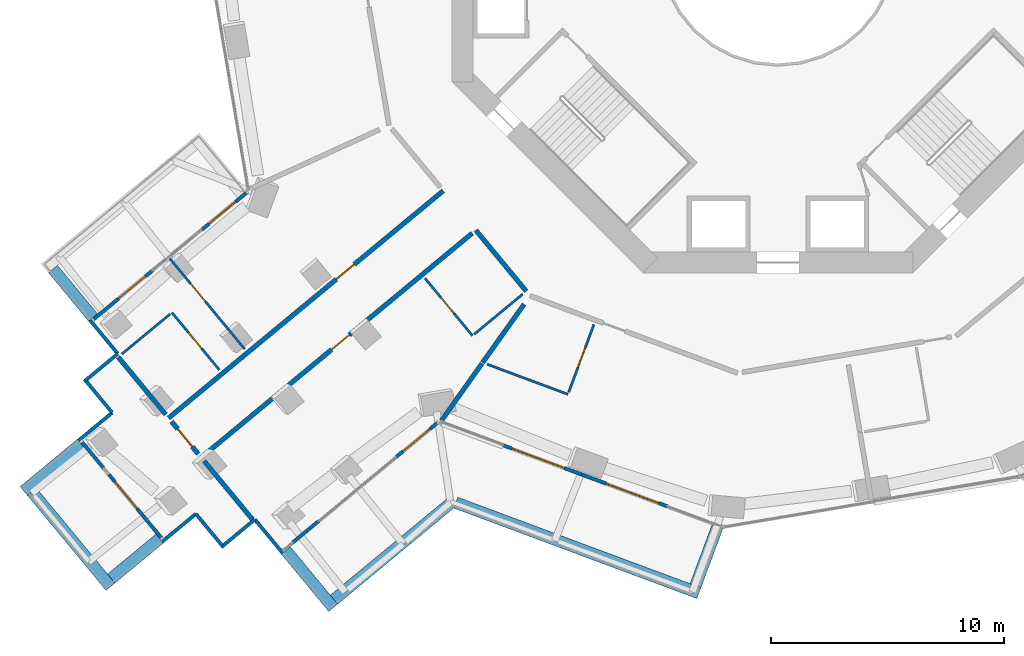
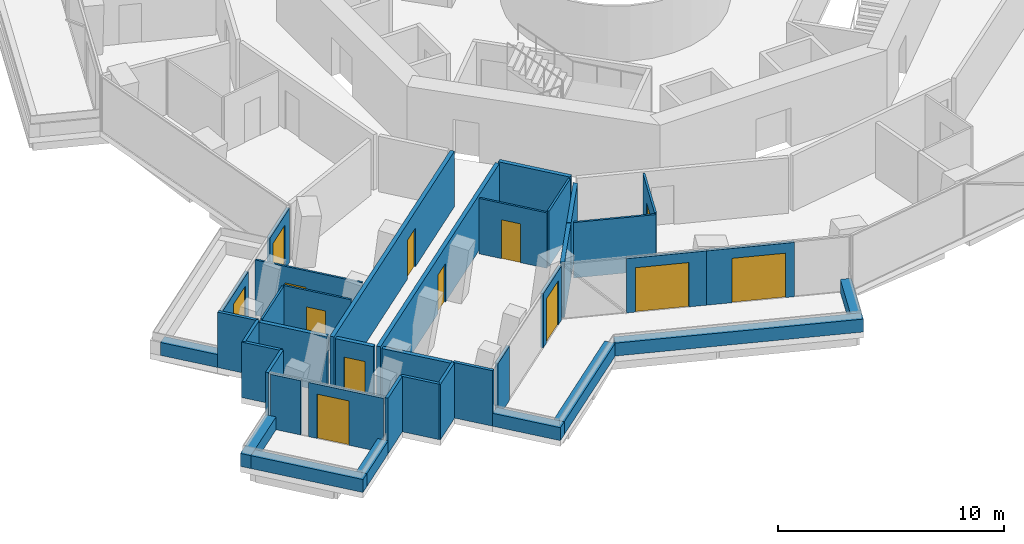
# One storey, part 19 of 27: 39 walls, 13 doors, 13 openings.
"""IFC4 building model written with IfcOpenShell, lengths in metres."""

from ifc_helpers import new_model, si_unit, direction, frame, frame_2d, origin, place, context, subcontext, project, spatial, rectangle, extrude, material, layer, layer_set, type_object, element, fill, save


model = new_model("IFC4")

# Units and contexts
model_context = context("Model", 3, precision=1e-05, world=origin(), true_north=direction((0.0, 1.0)))
body_context = subcontext(model_context, "Body", "Model", "MODEL_VIEW")
ifc_project = project(units=[si_unit("LENGTHUNIT", "METRE"), si_unit("AREAUNIT", "SQUARE_METRE"), si_unit("VOLUMEUNIT", "CUBIC_METRE"), si_unit("PLANEANGLEUNIT", "RADIAN"), si_unit("MASSUNIT", "GRAM", prefix="KILO")], contexts=[model_context])

# Site, building, storey
site_placement = place(None, origin())
site = spatial("IfcSite", under=ifc_project, at=site_placement, CompositionType="ELEMENT")
building_placement = place(site_placement, origin())
building = spatial("IfcBuilding", under=site, at=building_placement, Name="Verdalira Terraces Hotel", CompositionType="ELEMENT")
storey_placement = place(building_placement, frame((0.0, 0.0, 71.5)))
storey = spatial("IfcBuildingStorey", under=building, at=storey_placement, Name="L16", CompositionType="ELEMENT", Elevation=71.5)

# Walls
ifc_material_1 = material(Name="Concrete C40", Category="concrete")
ifc_layer_1 = layer(ifc_material_1, 0.5)
ifc_layer_set_1 = layer_set([ifc_layer_1], Name="Balcony planter trough with tree")
wall_type_1 = type_object("IfcWallType", Name="Balcony planter trough with tree", PredefinedType="SOLIDWALL", material=ifc_layer_set_1)
wall_1_placement = place(storey_placement, frame((-31.158691, -13.83667, 0.0), z_axis=(0.0, 0.0, 1.0), x_axis=(0.637386264, -0.770544451, 0.0)))
element("IfcWall", 1, at=wall_1_placement, inside=storey, type_object=wall_type_1, Name="Balcony planter", PredefinedType="SOLIDWALL", context=body_context, shape_type="SweptSolid", body=[
    extrude(rectangle(XDim=2.698975, YDim=0.5, at=frame_2d((1.349609, 0.0))), origin(), (0.0, 0.0, 1.0), 0.699951),
])
wall_2_placement = place(storey_placement, frame((-29.950928, -21.338379, 0.0), z_axis=(0.0, 0.0, 1.0), x_axis=(-0.770518399, -0.637417757, 0.0)))
element("IfcWall", 2, at=wall_2_placement, inside=storey, type_object=wall_type_1, Name="Balcony planter", PredefinedType="SOLIDWALL", context=body_context, shape_type="SweptSolid", body=[
    extrude(rectangle(XDim=3.198975, YDim=0.5, at=frame_2d((1.599609, 0.0))), origin(), (0.0, 0.0, 1.0), 0.699951),
])
wall_3_placement = place(storey_placement, frame((-32.063721, -23.410645, 0.0), z_axis=(0.0, 0.0, 1.0), x_axis=(0.637402717, -0.770530841, 0.0)))
element("IfcWall", 3, at=wall_3_placement, inside=storey, type_object=wall_type_1, Name="Balcony planter", PredefinedType="SOLIDWALL", context=body_context, shape_type="SweptSolid", body=[
    extrude(rectangle(XDim=5.299805, YDim=0.5, at=frame_2d((2.649902, 0.0))), origin(), (0.0, 0.0, 1.0), 0.699951),
])
wall_4_placement = place(storey_placement, frame((-28.6521, -27.142334, 0.0), z_axis=(0.0, 0.0, 1.0), x_axis=(0.770544451, 0.637386264, 0.0)))
element("IfcWall", 4, at=wall_4_placement, inside=storey, type_object=wall_type_1, Name="Balcony planter", PredefinedType="SOLIDWALL", context=body_context, shape_type="SweptSolid", body=[
    extrude(rectangle(XDim=2.698975, YDim=0.5, at=frame_2d((1.349609, 0.0))), origin(), (0.0, 0.0, 1.0), 0.699951),
])
wall_5_placement = place(storey_placement, frame((-21.150635, -25.93457, 0.0), z_axis=(0.0, 0.0, 1.0), x_axis=(0.637417757, -0.770518399, 0.0)))
element("IfcWall", 5, at=wall_5_placement, inside=storey, type_object=wall_type_1, Name="Balcony planter", PredefinedType="SOLIDWALL", context=body_context, shape_type="SweptSolid", body=[
    extrude(rectangle(XDim=3.198975, YDim=0.5, at=frame_2d((1.599609, 0.0))), origin(), (0.0, 0.0, 1.0), 0.699951),
])
wall_6_placement = place(storey_placement, frame((-19.078125, -28.047363, 0.0), z_axis=(0.0, 0.0, 1.0), x_axis=(0.770510589, 0.637427197, 0.0)))
element("IfcWall", 6, at=wall_6_placement, inside=storey, type_object=wall_type_1, Name="Balcony planter", PredefinedType="SOLIDWALL", context=body_context, shape_type="SweptSolid", body=[
    extrude(rectangle(XDim=6.472168, YDim=0.5, at=frame_2d((3.236084, 0.0))), origin(), (0.0, 0.0, 1.0), 0.699951),
])
wall_7_placement = place(storey_placement, frame((-13.844727, -23.880127, 0.0), z_axis=(0.0, 0.0, 1.0), x_axis=(0.937280243, -0.348576744, 0.0)))
element("IfcWall", 7, at=wall_7_placement, inside=storey, type_object=wall_type_1, Name="Balcony planter", PredefinedType="SOLIDWALL", context=body_context, shape_type="SweptSolid", body=[
    extrude(rectangle(XDim=11.152344, YDim=0.5, at=frame_2d((5.576172, 0.0))), origin(), (0.0, 0.0, 1.0), 0.699951),
])
wall_8_placement = place(storey_placement, frame((-3.538818, -27.446045, 0.0), z_axis=(0.0, 0.0, 1.0), x_axis=(0.348554455, 0.937288532, 0.0)))
element("IfcWall", 8, at=wall_8_placement, inside=storey, type_object=wall_type_1, Name="Balcony planter", PredefinedType="SOLIDWALL", context=body_context, shape_type="SweptSolid", body=[
    extrude(rectangle(XDim=2.69873, YDim=0.5, at=frame_2d((1.349365, 0.0))), origin(), (0.0, 0.0, 1.0), 0.699951),
])
ifc_material_2 = material(Name="Moisture-resistant gypsum board partition")
ifc_layer_2 = layer(ifc_material_2, 0.10009765625)
ifc_layer_set_2 = layer_set([ifc_layer_2], Name="Bathroom partition 100 mm")
wall_type_2 = type_object("IfcWallType", Name="Bathroom partition 100 mm", PredefinedType="PARTITIONING", material=ifc_layer_set_2)
wall_9_placement = place(storey_placement, frame((-26.121094, -15.768799, 0.0), z_axis=(0.0, 0.0, 1.0), x_axis=(-0.770477014, -0.63746778, 0.0)))
element("IfcWall", 9, at=wall_9_placement, inside=storey, type_object=wall_type_2, Name="Bathroom partition", PredefinedType="PARTITIONING", context=body_context, shape_type="SweptSolid", body=[
    extrude(rectangle(XDim=2.699951, YDim=0.100098, at=frame_2d((1.350098, 0.0))), origin(), (0.0, 0.0, 1.0), 3.0),
])

# Wall, opening, door
wall_10_placement = place(storey_placement, frame((-24.00415, -18.170898, 0.0), z_axis=(0.0, 0.0, 1.0), x_axis=(-0.637403759, 0.770529978, 0.0)))
wall_10 = element("IfcWall", 10, at=wall_10_placement, inside=storey, type_object=wall_type_2, Name="Bathroom partition", PredefinedType="PARTITIONING", context=body_context, shape_type="SweptSolid", body=[
    extrude(rectangle(XDim=3.200195, YDim=0.100098, at=frame_2d((1.600098, 0.0))), origin(), (0.0, 0.0, 1.0), 3.0),
])
opening_1_placement = place(wall_10_placement, frame((1.199951, 0.0, 0.0)))
opening_1 = element("IfcOpeningElement", 11, at=opening_1_placement, cuts=wall_10, Name="Opening L16-116", PredefinedType="OPENING", context=body_context, shape_type="SweptSolid", body=[
    extrude(rectangle(XDim=0.899902, YDim=2.100098, at=frame_2d((0.449951, 1.050049))), frame((0.0, 0.060059, 0.0), z_axis=(0.0, -1.0, 0.0), x_axis=(1.0, 0.0, 0.0)), (0.0, 0.0, 1.0), 0.120117),
])
ifc_material_3 = material(Name="Timber door", Category="wood")
door_type_1 = type_object("IfcDoorType", Name="Bathroom door 900 x 2100", OperationType="NOTDEFINED", PredefinedType="DOOR", material=ifc_material_3)
door_1_placement = place(opening_1_placement, origin())
door_1 = element("IfcDoor", 12, at=door_1_placement, inside=storey, type_object=door_type_1, Name="Bathroom door 1606", OperationType="SINGLE_SWING_RIGHT", OverallHeight=2.10009765625, OverallWidth=0.89990234375, PredefinedType="DOOR", context=body_context, shape_type="SweptSolid", body=[
    extrude(rectangle(XDim=0.899902, YDim=2.100098, at=frame_2d((0.449951, 1.050049))), frame((0.0, 0.024902, 0.0), z_axis=(0.0, -1.0, 0.0), x_axis=(1.0, 0.0, 0.0)), (0.0, 0.0, 1.0), 0.050049),
])
fill(opening_1, door_1)

wall_11_placement = place(storey_placement, frame((-22.917969, -17.272217, 0.0), z_axis=(0.0, 0.0, 1.0), x_axis=(-0.63742226, 0.770514674, 0.0)))
wall_11 = element("IfcWall", 13, at=wall_11_placement, inside=storey, type_object=wall_type_2, Name="Bathroom partition", PredefinedType="PARTITIONING", context=body_context, shape_type="SweptSolid", body=[
    extrude(rectangle(XDim=5.050049, YDim=0.100098, at=frame_2d((2.524902, 0.0))), origin(), (0.0, 0.0, 1.0), 3.0),
])
opening_2_placement = place(wall_11_placement, frame((2.649902, 0.0, 0.0)))
opening_2 = element("IfcOpeningElement", 14, at=opening_2_placement, cuts=wall_11, Name="Opening L16-115", PredefinedType="OPENING", context=body_context, shape_type="SweptSolid", body=[
    extrude(rectangle(XDim=1.0, YDim=2.100098, at=frame_2d((0.5, 1.050049))), frame((0.0, 0.060059, 0.0), z_axis=(0.0, -1.0, 0.0), x_axis=(1.0, 0.0, 0.0)), (0.0, 0.0, 1.0), 0.120117),
])
ifc_material_4 = material(Name="Timber door", Category="wood")
door_type_2 = type_object("IfcDoorType", Name="Suite internal door 1000 x 2100", OperationType="NOTDEFINED", PredefinedType="DOOR", material=ifc_material_4)
door_2_placement = place(opening_2_placement, origin())
door_2 = element("IfcDoor", 15, at=door_2_placement, inside=storey, type_object=door_type_2, Name="Suite internal door 1606", OperationType="SINGLE_SWING_LEFT", OverallHeight=2.10009765625, OverallWidth=1.0, PredefinedType="DOOR", context=body_context, shape_type="SweptSolid", body=[
    extrude(rectangle(XDim=1.0, YDim=2.100098, at=frame_2d((0.5, 1.050049))), frame((0.0, 0.024902, 0.0), z_axis=(0.0, -1.0, 0.0), x_axis=(1.0, 0.0, 0.0)), (0.0, 0.0, 1.0), 0.050049),
])
fill(opening_2, door_2)

wall_12_placement = place(storey_placement, frame((-15.166016, -14.233398, 0.0), z_axis=(0.0, 0.0, 1.0), x_axis=(0.637403759, -0.770529978, 0.0)))
wall_12 = element("IfcWall", 16, at=wall_12_placement, inside=storey, type_object=wall_type_2, Name="Bathroom partition", PredefinedType="PARTITIONING", context=body_context, shape_type="SweptSolid", body=[
    extrude(rectangle(XDim=3.200195, YDim=0.100098, at=frame_2d((1.600098, 0.0))), origin(), (0.0, 0.0, 1.0), 3.0),
])
opening_3_placement = place(wall_12_placement, frame((1.050049, 0.0, 0.0)))
opening_3 = element("IfcOpeningElement", 17, at=opening_3_placement, cuts=wall_12, Name="Opening L16-119", PredefinedType="OPENING", context=body_context, shape_type="SweptSolid", body=[
    extrude(rectangle(XDim=0.899902, YDim=2.100098, at=frame_2d((0.449951, 1.050049))), frame((0.0, 0.060059, 0.0), z_axis=(0.0, -1.0, 0.0), x_axis=(1.0, 0.0, 0.0)), (0.0, 0.0, 1.0), 0.120117),
])
door_3_placement = place(opening_3_placement, origin())
door_3 = element("IfcDoor", 18, at=door_3_placement, inside=storey, type_object=door_type_1, Name="Bathroom door 1608", OperationType="SINGLE_SWING_RIGHT", OverallHeight=2.10009765625, OverallWidth=0.89990234375, PredefinedType="DOOR", context=body_context, shape_type="SweptSolid", body=[
    extrude(rectangle(XDim=0.899902, YDim=2.100098, at=frame_2d((0.449951, 1.050049))), frame((0.0, 0.024902, 0.0), z_axis=(0.0, -1.0, 0.0), x_axis=(1.0, 0.0, 0.0)), (0.0, 0.0, 1.0), 0.050049),
])
fill(opening_3, door_3)

# Walls
wall_13_placement = place(storey_placement, frame((-10.96875, -14.914307, 0.0), z_axis=(0.0, 0.0, 1.0), x_axis=(-0.770477014, -0.63746778, 0.0)))
element("IfcWall", 19, at=wall_13_placement, inside=storey, type_object=wall_type_2, Name="Bathroom partition", PredefinedType="PARTITIONING", context=body_context, shape_type="SweptSolid", body=[
    extrude(rectangle(XDim=2.699951, YDim=0.100098, at=frame_2d((1.350098, 0.0))), origin(), (0.0, 0.0, 1.0), 3.0),
])
wall_14_placement = place(storey_placement, frame((-9.023193, -19.218506, 0.0), z_axis=(0.0, 0.0, 1.0), x_axis=(-0.937268435, 0.348608492, 0.0)))
element("IfcWall", 20, at=wall_14_placement, inside=storey, type_object=wall_type_2, Name="Bathroom partition", PredefinedType="PARTITIONING", context=body_context, shape_type="SweptSolid", body=[
    extrude(rectangle(XDim=3.704102, YDim=0.100098, at=frame_2d((1.852051, 0.0))), origin(), (0.0, 0.0, 1.0), 3.0),
])

# Wall, opening, door
wall_15_placement = place(storey_placement, frame((-8.988281, -19.124756, 0.0), z_axis=(0.0, 0.0, 1.0), x_axis=(0.348550316, 0.937290071, 0.0)))
wall_15 = element("IfcWall", 21, at=wall_15_placement, inside=storey, type_object=wall_type_2, Name="Bathroom partition", PredefinedType="PARTITIONING", context=body_context, shape_type="SweptSolid", body=[
    extrude(rectangle(XDim=3.100098, YDim=0.100098, at=frame_2d((1.550049, 0.0))), origin(), (0.0, 0.0, 1.0), 3.0),
])
opening_4_placement = place(wall_15_placement, frame((1.149902, 0.0, 0.0)))
opening_4 = element("IfcOpeningElement", 22, at=opening_4_placement, cuts=wall_15, Name="Opening L16-121", PredefinedType="OPENING", context=body_context, shape_type="SweptSolid", body=[
    extrude(rectangle(XDim=0.899902, YDim=2.100098, at=frame_2d((0.449951, 1.050049))), frame((0.0, 0.060059, 0.0), z_axis=(0.0, -1.0, 0.0), x_axis=(1.0, 0.0, 0.0)), (0.0, 0.0, 1.0), 0.120117),
])
door_4_placement = place(opening_4_placement, origin())
door_4 = element("IfcDoor", 23, at=door_4_placement, inside=storey, type_object=door_type_1, Name="Bathroom door 1609", OperationType="SINGLE_SWING_LEFT", OverallHeight=2.10009765625, OverallWidth=0.89990234375, PredefinedType="DOOR", context=body_context, shape_type="SweptSolid", body=[
    extrude(rectangle(XDim=0.899902, YDim=2.100098, at=frame_2d((0.449951, 1.050049))), frame((0.0, 0.024902, 0.0), z_axis=(0.0, -1.0, 0.0), x_axis=(1.0, 0.0, 0.0)), (0.0, 0.0, 1.0), 0.050049),
])
fill(opening_4, door_4)

# Walls
ifc_material_5 = material(Name="Fire-rated gypsum board wall")
ifc_layer_3 = layer(ifc_material_5, 0.199951171875)
ifc_layer_set_3 = layer_set([ifc_layer_3], Name="Demising wall 200 mm")
wall_type_3 = type_object("IfcWallType", Name="Demising wall 200 mm", PredefinedType="SOLIDWALL", material=ifc_layer_set_3)
wall_16_placement = place(storey_placement, frame((-28.356689, -17.615967, 0.0), z_axis=(0.0, 0.0, 1.0), x_axis=(0.637407074, -0.770527236, 0.0)))
element("IfcWall", 24, at=wall_16_placement, inside=storey, type_object=wall_type_3, Name="Demising wall", PredefinedType="SOLIDWALL", context=body_context, shape_type="SweptSolid", body=[
    extrude(rectangle(XDim=3.203857, YDim=0.199951, at=frame_2d((1.602051, 0.0))), origin(), (0.0, 0.0, 1.0), 3.0),
])
wall_17_placement = place(storey_placement, frame((-24.659912, -22.084961, 0.0), z_axis=(0.0, 0.0, 1.0), x_axis=(0.637455546, -0.770487136, 0.0)))
element("IfcWall", 25, at=wall_17_placement, inside=storey, type_object=wall_type_3, Name="Demising wall", PredefinedType="SOLIDWALL", context=body_context, shape_type="SweptSolid", body=[
    extrude(rectangle(XDim=3.251953, YDim=0.199951, at=frame_2d((1.625977, 0.0))), origin(), (0.0, 0.0, 1.0), 3.0),
])
wall_18_placement = place(storey_placement, frame((-12.716797, -17.894287, 0.0), z_axis=(0.0, 0.0, 1.0), x_axis=(-0.579280855, -0.815128021, 0.0)))
element("IfcWall", 26, at=wall_18_placement, inside=storey, type_object=wall_type_3, Name="Demising wall", PredefinedType="SOLIDWALL", context=body_context, shape_type="SweptSolid", body=[
    extrude(rectangle(XDim=3.01123, YDim=0.199951, at=frame_2d((1.505615, 0.0))), origin(), (0.0, 0.0, 1.0), 3.0),
])
wall_19_placement = place(storey_placement, frame((-10.908936, -15.350586, 0.0), z_axis=(0.0, 0.0, 1.0), x_axis=(-0.579336263, -0.815088642, 0.0)))
element("IfcWall", 27, at=wall_19_placement, inside=storey, type_object=wall_type_3, Name="Demising wall", PredefinedType="SOLIDWALL", context=body_context, shape_type="SweptSolid", body=[
    extrude(rectangle(XDim=3.074707, YDim=0.199951, at=frame_2d((1.537354, 0.0))), origin(), (0.0, 0.0, 1.0), 3.0),
])

# Wall, opening, door
ifc_material_6 = material(Name="Fire-rated gypsum board wall")
ifc_layer_4 = layer(ifc_material_6, 0.199951171875)
ifc_layer_set_4 = layer_set([ifc_layer_4], Name="Guest corridor wall 200 mm")
wall_type_4 = type_object("IfcWallType", Name="Guest corridor wall 200 mm", PredefinedType="SOLIDWALL", material=ifc_layer_set_4)
wall_20_placement = place(storey_placement, frame((-24.912109, -21.779785, 0.0), z_axis=(0.0, 0.0, 1.0), x_axis=(-0.637451374, 0.770490588, 0.0)))
wall_20 = element("IfcWall", 28, at=wall_20_placement, inside=storey, type_object=wall_type_4, Name="Guest corridor wall", PredefinedType="SOLIDWALL", context=body_context, shape_type="SweptSolid", body=[
    extrude(rectangle(XDim=1.803955, YDim=0.199951, at=frame_2d((0.901855, 0.0))), origin(), (0.0, 0.0, 1.0), 3.0),
])
opening_5_placement = place(wall_20_placement, frame((0.399902, 0.0, 0.0)))
opening_5 = element("IfcOpeningElement", 29, at=opening_5_placement, cuts=wall_20, Name="Opening L16-117", PredefinedType="OPENING", context=body_context, shape_type="SweptSolid", body=[
    extrude(rectangle(XDim=1.0, YDim=2.100098, at=frame_2d((0.5, 1.050049))), frame((0.0, 0.109863, 0.0), z_axis=(0.0, -1.0, 0.0), x_axis=(1.0, 0.0, 0.0)), (0.0, 0.0, 1.0), 0.219971),
])
ifc_material_7 = material(Name="Timber door", Category="wood")
door_type_3 = type_object("IfcDoorType", Name="Lounge door 1000 x 2100", OperationType="NOTDEFINED", PredefinedType="DOOR", material=ifc_material_7)
door_5_placement = place(opening_5_placement, origin())
door_5 = element("IfcDoor", 30, at=door_5_placement, inside=storey, type_object=door_type_3, Name="Lounge door 1607", OperationType="SINGLE_SWING_LEFT", OverallHeight=2.10009765625, OverallWidth=1.0, PredefinedType="DOOR", context=body_context, shape_type="SweptSolid", body=[
    extrude(rectangle(XDim=1.0, YDim=2.100098, at=frame_2d((0.5, 1.050049))), frame((0.0, 0.024902, 0.0), z_axis=(0.0, -1.0, 0.0), x_axis=(1.0, 0.0, 0.0)), (0.0, 0.0, 1.0), 0.050049),
])
fill(opening_5, door_5)

wall_21_placement = place(storey_placement, frame((-26.188232, -20.237305, 0.0), z_axis=(0.0, 0.0, 1.0), x_axis=(0.770503626, 0.637435615, 0.0)))
wall_21 = element("IfcWall", 31, at=wall_21_placement, inside=storey, type_object=wall_type_4, Name="Guest corridor wall", PredefinedType="SOLIDWALL", context=body_context, shape_type="SweptSolid", body=[
    extrude(rectangle(XDim=15.319824, YDim=0.199951, at=frame_2d((7.659912, 0.0))), origin(), (0.0, 0.0, 1.0), 3.0),
])
opening_6_placement = place(wall_21_placement, frame((9.359863, 0.0, 0.0)))
opening_6 = element("IfcOpeningElement", 32, at=opening_6_placement, cuts=wall_21, Name="Opening L16-114", PredefinedType="OPENING", context=body_context, shape_type="SweptSolid", body=[
    extrude(rectangle(XDim=1.0, YDim=2.100098, at=frame_2d((0.5, 1.050049))), frame((0.0, 0.109863, 0.0), z_axis=(0.0, -1.0, 0.0), x_axis=(1.0, 0.0, 0.0)), (0.0, 0.0, 1.0), 0.219971),
])
ifc_material_8 = material(Name="Timber fire door", Category="wood")
door_type_4 = type_object("IfcDoorType", Name="Guest entry door 1000 x 2100", OperationType="NOTDEFINED", PredefinedType="DOOR", material=ifc_material_8)
door_6_placement = place(opening_6_placement, origin())
door_6 = element("IfcDoor", 33, at=door_6_placement, inside=storey, type_object=door_type_4, Name="Guest entry door 1606", OperationType="SINGLE_SWING_LEFT", OverallHeight=2.10009765625, OverallWidth=1.0, PredefinedType="DOOR", context=body_context, shape_type="SweptSolid", body=[
    extrude(rectangle(XDim=1.0, YDim=2.100098, at=frame_2d((0.5, 1.050049))), frame((0.0, 0.024902, 0.0), z_axis=(0.0, -1.0, 0.0), x_axis=(1.0, 0.0, 0.0)), (0.0, 0.0, 1.0), 0.050049),
])
fill(opening_6, door_6)

wall_22_placement = place(storey_placement, frame((-13.135986, -12.294678, 0.0), z_axis=(0.0, 0.0, 1.0), x_axis=(-0.770511361, -0.637426264, 0.0)))
wall_22 = element("IfcWall", 34, at=wall_22_placement, inside=storey, type_object=wall_type_4, Name="Guest corridor wall", PredefinedType="SOLIDWALL", context=body_context, shape_type="SweptSolid", body=[
    extrude(rectangle(XDim=15.119629, YDim=0.199951, at=frame_2d((7.559814, 0.0))), origin(), (0.0, 0.0, 1.0), 3.0),
])
opening_7_placement = place(wall_22_placement, frame((6.850098, 0.0, 0.0)))
opening_7 = element("IfcOpeningElement", 35, at=opening_7_placement, cuts=wall_22, Name="Opening L16-118", PredefinedType="OPENING", context=body_context, shape_type="SweptSolid", body=[
    extrude(rectangle(XDim=1.0, YDim=2.100098, at=frame_2d((0.5, 1.050049))), frame((0.0, 0.109863, 0.0), z_axis=(0.0, -1.0, 0.0), x_axis=(1.0, 0.0, 0.0)), (0.0, 0.0, 1.0), 0.219971),
])
door_7_placement = place(opening_7_placement, origin())
door_7 = element("IfcDoor", 36, at=door_7_placement, inside=storey, type_object=door_type_4, Name="Guest entry door 1608", OperationType="SINGLE_SWING_RIGHT", OverallHeight=2.10009765625, OverallWidth=1.0, PredefinedType="DOOR", context=body_context, shape_type="SweptSolid", body=[
    extrude(rectangle(XDim=1.0, YDim=2.100098, at=frame_2d((0.5, 1.050049))), frame((0.0, 0.024902, 0.0), z_axis=(0.0, -1.0, 0.0), x_axis=(1.0, 0.0, 0.0)), (0.0, 0.0, 1.0), 0.050049),
])
fill(opening_7, door_7)

# Walls
wall_23_placement = place(storey_placement, frame((-12.981689, -12.167236, 0.0), z_axis=(0.0, 0.0, 1.0), x_axis=(0.637397216, -0.770535391, 0.0)))
element("IfcWall", 37, at=wall_23_placement, inside=storey, type_object=wall_type_4, Name="Guest corridor wall", PredefinedType="SOLIDWALL", context=body_context, shape_type="SweptSolid", body=[
    extrude(rectangle(XDim=3.399658, YDim=0.199951, at=frame_2d((1.699707, 0.0))), origin(), (0.0, 0.0, 1.0), 3.0),
])
ifc_material_9 = material(Name="Terracotta cladding", Category="masonry")
ifc_layer_5 = layer(ifc_material_9, 0.14990234375)
ifc_layer_set_5 = layer_set([ifc_layer_5], Name="Terracotta clad wall 150")
wall_type_5 = type_object("IfcWallType", Name="Terracotta clad wall 150", PredefinedType="SOLIDWALL", material=ifc_layer_set_5)
wall_24_placement = place(storey_placement, frame((-29.57251, -16.028564, 0.0), z_axis=(0.0, 0.0, 1.0), x_axis=(0.637362503, -0.770564105, 0.0)))
element("IfcWall", 38, at=wall_24_placement, inside=storey, type_object=wall_type_5, Name="Terracotta cladding wall", PredefinedType="SOLIDWALL", context=body_context, shape_type="SweptSolid", body=[
    extrude(rectangle(XDim=1.875, YDim=0.149902, at=frame_2d((0.9375, 0.0))), origin(), (0.0, 0.0, 1.0), 3.0),
])
wall_25_placement = place(storey_placement, frame((-28.377441, -17.473389, 0.0), z_axis=(0.0, 0.0, 1.0), x_axis=(-0.770562, -0.637365048, 0.0)))
element("IfcWall", 39, at=wall_25_placement, inside=storey, type_object=wall_type_5, Name="Terracotta cladding wall", PredefinedType="SOLIDWALL", context=body_context, shape_type="SweptSolid", body=[
    extrude(rectangle(XDim=1.800049, YDim=0.149902, at=frame_2d((0.899902, 0.0))), origin(), (0.0, 0.0, 1.0), 3.0),
])
wall_26_placement = place(storey_placement, frame((-29.812256, -18.562988, 0.0), z_axis=(0.0, 0.0, 1.0), x_axis=(0.637503756, -0.770447248, 0.0)))
element("IfcWall", 40, at=wall_26_placement, inside=storey, type_object=wall_type_5, Name="Terracotta cladding wall", PredefinedType="SOLIDWALL", context=body_context, shape_type="SweptSolid", body=[
    extrude(rectangle(XDim=1.875, YDim=0.149902, at=frame_2d((0.9375, 0.0))), origin(), (0.0, 0.0, 1.0), 3.0),
])
wall_27_placement = place(storey_placement, frame((-28.616943, -20.007568, 0.0), z_axis=(0.0, 0.0, 1.0), x_axis=(-0.770500158, -0.637439806, 0.0)))
element("IfcWall", 41, at=wall_27_placement, inside=storey, type_object=wall_type_5, Name="Terracotta cladding wall", PredefinedType="SOLIDWALL", context=body_context, shape_type="SweptSolid", body=[
    extrude(rectangle(XDim=1.875244, YDim=0.149902, at=frame_2d((0.9375, 0.0))), origin(), (0.0, 0.0, 1.0), 3.0),
])
wall_28_placement = place(storey_placement, frame((-26.460205, -25.556152, 0.0), z_axis=(0.0, 0.0, 1.0), x_axis=(0.770511203, 0.637426456, 0.0)))
element("IfcWall", 42, at=wall_28_placement, inside=storey, type_object=wall_type_5, Name="Terracotta cladding wall", PredefinedType="SOLIDWALL", context=body_context, shape_type="SweptSolid", body=[
    extrude(rectangle(XDim=1.874756, YDim=0.149902, at=frame_2d((0.9375, 0.0))), origin(), (0.0, 0.0, 1.0), 3.0),
])
wall_29_placement = place(storey_placement, frame((-25.015625, -24.361084, 0.0), z_axis=(0.0, 0.0, 1.0), x_axis=(0.637445575, -0.770495385, 0.0)))
element("IfcWall", 43, at=wall_29_placement, inside=storey, type_object=wall_type_5, Name="Terracotta cladding wall", PredefinedType="SOLIDWALL", context=body_context, shape_type="SweptSolid", body=[
    extrude(rectangle(XDim=1.800049, YDim=0.149902, at=frame_2d((0.899902, 0.0))), origin(), (0.0, 0.0, 1.0), 3.0),
])
for number, where, z_axis, x_axis, name in (
    (44, (-23.926025, -25.795654, 0.0), (0.0, 0.0, 1.0), (0.770564105, 0.637362503, 0.0), "Terracotta cladding wall"),
    (45, (-22.481201, -24.600586, 0.0), (0.0, 0.0, 1.0), (0.637362503, -0.770564105, 0.0), "Terracotta cladding wall"),
):
    element("IfcWall", number, at=place(storey_placement, frame(where, z_axis=z_axis, x_axis=x_axis)), inside=storey, type_object=wall_type_5, Name=name, PredefinedType="SOLIDWALL", context=body_context, shape_type="SweptSolid", body=[
        extrude(rectangle(XDim=1.875, YDim=0.149902, at=frame_2d((0.9375, 0.0))), origin(), (0.0, 0.0, 1.0), 3.0),
    ])
ifc_material_10 = material(Name="Terracotta cladding", Category="masonry")
ifc_layer_6 = layer(ifc_material_10, 0.14990234375)
ifc_layer_set_6 = layer_set([ifc_layer_6], Name="Terracotta column pier 150")
wall_type_6 = type_object("IfcWallType", Name="Terracotta column pier 150", PredefinedType="SOLIDWALL", material=ifc_layer_set_6)
wall_30_placement = place(storey_placement, frame((-29.905029, -21.274414, 0.0), z_axis=(0.0, 0.0, 1.0), x_axis=(0.63734424, -0.770579211, 0.0)))
element("IfcWall", 46, at=wall_30_placement, inside=storey, type_object=wall_type_6, Name="Terracotta column pier", PredefinedType="SOLIDWALL", context=body_context, shape_type="SweptSolid", body=[
    extrude(rectangle(XDim=1.431152, YDim=0.149902, at=frame_2d((0.715576, 0.0))), origin(), (0.0, 0.0, 1.0), 2.935059),
])
wall_31_placement = place(storey_placement, frame((-20.852295, -25.589111, 0.0), z_axis=(0.0, 0.0, 1.0), x_axis=(0.770524105, 0.63741086, 0.0)))
element("IfcWall", 47, at=wall_31_placement, inside=storey, type_object=wall_type_6, Name="Terracotta column pier", PredefinedType="SOLIDWALL", context=body_context, shape_type="SweptSolid", body=[
    extrude(rectangle(XDim=1.465332, YDim=0.149902, at=frame_2d((0.732666, 0.0))), origin(), (0.0, 0.0, 1.0), 2.935059),
])

# Wall, opening, door
ifc_material_11 = material(Name="Terracotta cladding", Category="masonry")
ifc_layer_7 = layer(ifc_material_11, 0.14990234375)
ifc_layer_set_7 = layer_set([ifc_layer_7], Name="Terracotta door pier 150")
wall_type_7 = type_object("IfcWallType", Name="Terracotta door pier 150", PredefinedType="SOLIDWALL", material=ifc_layer_set_7)
wall_32_placement = place(storey_placement, frame((-22.84082, -10.556885, 0.0), z_axis=(0.0, 0.0, 1.0), x_axis=(-0.770468847, -0.637477651, 0.0)))
wall_32 = element("IfcWall", 48, at=wall_32_placement, inside=storey, type_object=wall_type_7, Name="Terracotta door pier", PredefinedType="SOLIDWALL", context=body_context, shape_type="SweptSolid", body=[
    extrude(rectangle(XDim=2.496582, YDim=0.149902, at=frame_2d((1.248291, 0.0))), origin(), (0.0, 0.0, 1.0), 2.935059),
])
opening_8_placement = place(wall_32_placement, frame((0.59668, 0.0, 0.0)))
opening_8 = element("IfcOpeningElement", 49, at=opening_8_placement, cuts=wall_32, Name="Opening L16-B03", PredefinedType="OPENING", context=body_context, shape_type="SweptSolid", body=[
    extrude(rectangle(XDim=1.5, YDim=2.399902, at=frame_2d((0.75, 1.199951))), frame((0.0, 0.084961, 0.0), z_axis=(0.0, -1.0, 0.0), x_axis=(1.0, 0.0, 0.0)), (0.0, 0.0, 1.0), 0.169922),
])
ifc_material_12 = material(Name="Clear glass", Category="glass")
door_type_5 = type_object("IfcDoorType", Name="Balcony sliding door 1500x2400", OperationType="NOTDEFINED", PredefinedType="DOOR", material=ifc_material_12)
door_8_placement = place(opening_8_placement, origin())
door_8 = element("IfcDoor", 50, at=door_8_placement, inside=storey, type_object=door_type_5, Name="Balcony sliding door", OperationType="SLIDING_TO_LEFT", OverallHeight=2.39990234375, OverallWidth=1.5, PredefinedType="DOOR", context=body_context, shape_type="SweptSolid", body=[
    extrude(rectangle(XDim=1.5, YDim=2.399902, at=frame_2d((0.75, 1.199951))), frame((0.0, 0.024902, 0.0), z_axis=(0.0, -1.0, 0.0), x_axis=(1.0, 0.0, 0.0)), (0.0, 0.0, 1.0), 0.050049),
])
fill(opening_8, door_8)

wall_33_placement = place(storey_placement, frame((-26.872559, -13.892334, 0.0), z_axis=(0.0, 0.0, 1.0), x_axis=(-0.770534767, -0.63739797, 0.0)))
wall_33 = element("IfcWall", 51, at=wall_33_placement, inside=storey, type_object=wall_type_7, Name="Terracotta door pier", PredefinedType="SOLIDWALL", context=body_context, shape_type="SweptSolid", body=[
    extrude(rectangle(XDim=3.297119, YDim=0.149902, at=frame_2d((1.648438, 0.0))), origin(), (0.0, 0.0, 1.0), 2.935059),
])
opening_9_placement = place(wall_33_placement, frame((0.399902, 0.0, 0.0)))
opening_9 = element("IfcOpeningElement", 52, at=opening_9_placement, cuts=wall_33, Name="Opening L16-B04", PredefinedType="OPENING", context=body_context, shape_type="SweptSolid", body=[
    extrude(rectangle(XDim=1.5, YDim=2.399902, at=frame_2d((0.75, 1.199951))), frame((0.0, 0.084961, 0.0), z_axis=(0.0, -1.0, 0.0), x_axis=(1.0, 0.0, 0.0)), (0.0, 0.0, 1.0), 0.169922),
])
door_9_placement = place(opening_9_placement, origin())
door_9 = element("IfcDoor", 53, at=door_9_placement, inside=storey, type_object=door_type_5, Name="Balcony sliding door", OperationType="SLIDING_TO_RIGHT", OverallHeight=2.39990234375, OverallWidth=1.5, PredefinedType="DOOR", context=body_context, shape_type="SweptSolid", body=[
    extrude(rectangle(XDim=1.5, YDim=2.399902, at=frame_2d((0.75, 1.199951))), frame((0.0, 0.024902, 0.0), z_axis=(0.0, -1.0, 0.0), x_axis=(1.0, 0.0, 0.0)), (0.0, 0.0, 1.0), 0.050049),
])
fill(opening_9, door_9)

wall_34_placement = place(storey_placement, frame((-28.751465, -22.668945, 0.0), z_axis=(0.0, 0.0, 1.0), x_axis=(0.637438904, -0.770500904, 0.0)))
wall_34 = element("IfcWall", 54, at=wall_34_placement, inside=storey, type_object=wall_type_7, Name="Terracotta door pier", PredefinedType="SOLIDWALL", context=body_context, shape_type="SweptSolid", body=[
    extrude(rectangle(XDim=3.530029, YDim=0.149902, at=frame_2d((1.765137, 0.0))), origin(), (0.0, 0.0, 1.0), 2.935059),
])
opening_10_placement = place(wall_34_placement, frame((0.399902, 0.0, 0.0)))
opening_10 = element("IfcOpeningElement", 55, at=opening_10_placement, cuts=wall_34, Name="Opening L16-B05", PredefinedType="OPENING", context=body_context, shape_type="SweptSolid", body=[
    extrude(rectangle(XDim=1.5, YDim=2.399902, at=frame_2d((0.75, 1.199951))), frame((0.0, 0.084961, 0.0), z_axis=(0.0, -1.0, 0.0), x_axis=(1.0, 0.0, 0.0)), (0.0, 0.0, 1.0), 0.169922),
])
door_10_placement = place(opening_10_placement, origin())
door_10 = element("IfcDoor", 56, at=door_10_placement, inside=storey, type_object=door_type_5, Name="Balcony sliding door", OperationType="SLIDING_TO_RIGHT", OverallHeight=2.39990234375, OverallWidth=1.5, PredefinedType="DOOR", context=body_context, shape_type="SweptSolid", body=[
    extrude(rectangle(XDim=1.5, YDim=2.399902, at=frame_2d((0.75, 1.199951))), frame((0.0, 0.024902, 0.0), z_axis=(0.0, -1.0, 0.0), x_axis=(1.0, 0.0, 0.0)), (0.0, 0.0, 1.0), 0.050049),
])
fill(opening_10, door_10)

wall_35_placement = place(storey_placement, frame((-16.422119, -21.924072, 0.0), z_axis=(0.0, 0.0, 1.0), x_axis=(0.770521952, 0.637413462, 0.0)))
wall_35 = element("IfcWall", 57, at=wall_35_placement, inside=storey, type_object=wall_type_7, Name="Terracotta door pier", PredefinedType="SOLIDWALL", context=body_context, shape_type="SweptSolid", body=[
    extrude(rectangle(XDim=2.300049, YDim=0.149902, at=frame_2d((1.149902, 0.0))), origin(), (0.0, 0.0, 1.0), 2.935059),
])
opening_11_placement = place(wall_35_placement, frame((0.399902, 0.0, 0.0)))
opening_11 = element("IfcOpeningElement", 58, at=opening_11_placement, cuts=wall_35, Name="Opening L16-B06", PredefinedType="OPENING", context=body_context, shape_type="SweptSolid", body=[
    extrude(rectangle(XDim=1.5, YDim=2.399902, at=frame_2d((0.75, 1.199951))), frame((0.0, 0.084961, 0.0), z_axis=(0.0, -1.0, 0.0), x_axis=(1.0, 0.0, 0.0)), (0.0, 0.0, 1.0), 0.169922),
])
door_11_placement = place(opening_11_placement, origin())
door_11 = element("IfcDoor", 59, at=door_11_placement, inside=storey, type_object=door_type_5, Name="Balcony sliding door", OperationType="SLIDING_TO_RIGHT", OverallHeight=2.39990234375, OverallWidth=1.5, PredefinedType="DOOR", context=body_context, shape_type="SweptSolid", body=[
    extrude(rectangle(XDim=1.5, YDim=2.399902, at=frame_2d((0.75, 1.199951))), frame((0.0, 0.024902, 0.0), z_axis=(0.0, -1.0, 0.0), x_axis=(1.0, 0.0, 0.0)), (0.0, 0.0, 1.0), 0.050049),
])
fill(opening_11, door_11)

wall_36_placement = place(storey_placement, frame((-11.803955, -21.411621, 0.0), z_axis=(0.0, 0.0, 1.0), x_axis=(0.937281631, -0.348573011, 0.0)))
wall_36 = element("IfcWall", 60, at=wall_36_placement, inside=storey, type_object=wall_type_7, Name="Terracotta door pier", PredefinedType="SOLIDWALL", context=body_context, shape_type="SweptSolid", body=[
    extrude(rectangle(XDim=3.600098, YDim=0.149902, at=frame_2d((1.800049, 0.0))), origin(), (0.0, 0.0, 1.0), 2.935059),
])
opening_12_placement = place(wall_36_placement, frame((0.399902, 0.0, 0.0)))
opening_12 = element("IfcOpeningElement", 61, at=opening_12_placement, cuts=wall_36, Name="Opening L16-B07", PredefinedType="OPENING", context=body_context, shape_type="SweptSolid", body=[
    extrude(rectangle(XDim=2.399902, YDim=2.399902, at=frame_2d((1.199951, 1.199951))), frame((0.0, 0.084961, 0.0), z_axis=(0.0, -1.0, 0.0), x_axis=(1.0, 0.0, 0.0)), (0.0, 0.0, 1.0), 0.169922),
])
ifc_material_13 = material(Name="Clear glass", Category="glass")
door_type_6 = type_object("IfcDoorType", Name="Balcony sliding door 2400x2400", OperationType="NOTDEFINED", PredefinedType="DOOR", material=ifc_material_13)
door_12_placement = place(opening_12_placement, origin())
door_12 = element("IfcDoor", 62, at=door_12_placement, inside=storey, type_object=door_type_6, Name="Balcony sliding door", OperationType="SLIDING_TO_RIGHT", OverallHeight=2.39990234375, OverallWidth=2.39990234375, PredefinedType="DOOR", context=body_context, shape_type="SweptSolid", body=[
    extrude(rectangle(XDim=2.399902, YDim=2.399902, at=frame_2d((1.199951, 1.199951))), frame((0.0, 0.024902, 0.0), z_axis=(0.0, -1.0, 0.0), x_axis=(1.0, 0.0, 0.0)), (0.0, 0.0, 1.0), 0.050049),
])
fill(opening_12, door_12)

wall_37_placement = place(storey_placement, frame((-8.429688, -22.666504, 0.0), z_axis=(0.0, 0.0, 1.0), x_axis=(0.937285903, -0.348561523, 0.0)))
wall_37 = element("IfcWall", 63, at=wall_37_placement, inside=storey, type_object=wall_type_7, Name="Terracotta door pier", PredefinedType="SOLIDWALL", context=body_context, shape_type="SweptSolid", body=[
    extrude(rectangle(XDim=3.939209, YDim=0.149902, at=frame_2d((1.969727, 0.0))), origin(), (0.0, 0.0, 1.0), 2.935059),
])
opening_13_placement = place(wall_37_placement, frame((1.138916, 0.0, 0.0)))
opening_13 = element("IfcOpeningElement", 64, at=opening_13_placement, cuts=wall_37, Name="Opening L16-B08", PredefinedType="OPENING", context=body_context, shape_type="SweptSolid", body=[
    extrude(rectangle(XDim=2.399902, YDim=2.399902, at=frame_2d((1.199951, 1.199951))), frame((0.0, 0.084961, 0.0), z_axis=(0.0, -1.0, 0.0), x_axis=(1.0, 0.0, 0.0)), (0.0, 0.0, 1.0), 0.169922),
])
door_13_placement = place(opening_13_placement, origin())
door_13 = element("IfcDoor", 65, at=door_13_placement, inside=storey, type_object=door_type_6, Name="Balcony sliding door", OperationType="SLIDING_TO_LEFT", OverallHeight=2.39990234375, OverallWidth=2.39990234375, PredefinedType="DOOR", context=body_context, shape_type="SweptSolid", body=[
    extrude(rectangle(XDim=2.399902, YDim=2.399902, at=frame_2d((1.199951, 1.199951))), frame((0.0, 0.024902, 0.0), z_axis=(0.0, -1.0, 0.0), x_axis=(1.0, 0.0, 0.0)), (0.0, 0.0, 1.0), 0.050049),
])
fill(opening_13, door_13)

save(model, "model.ifc")
